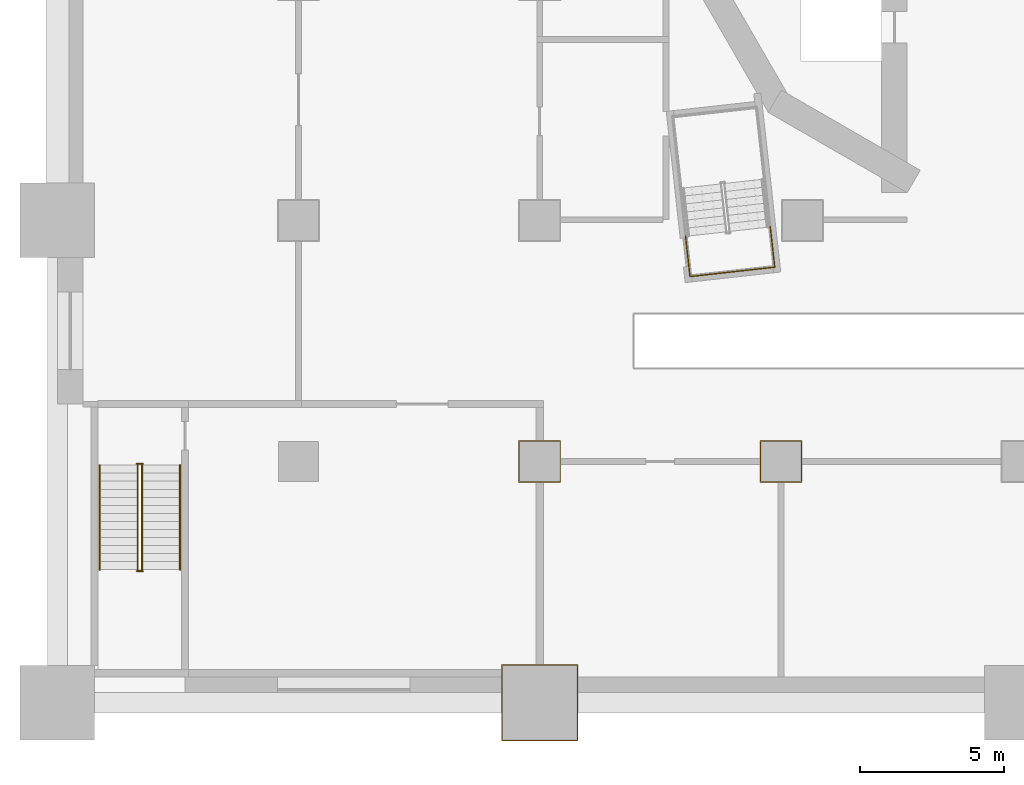
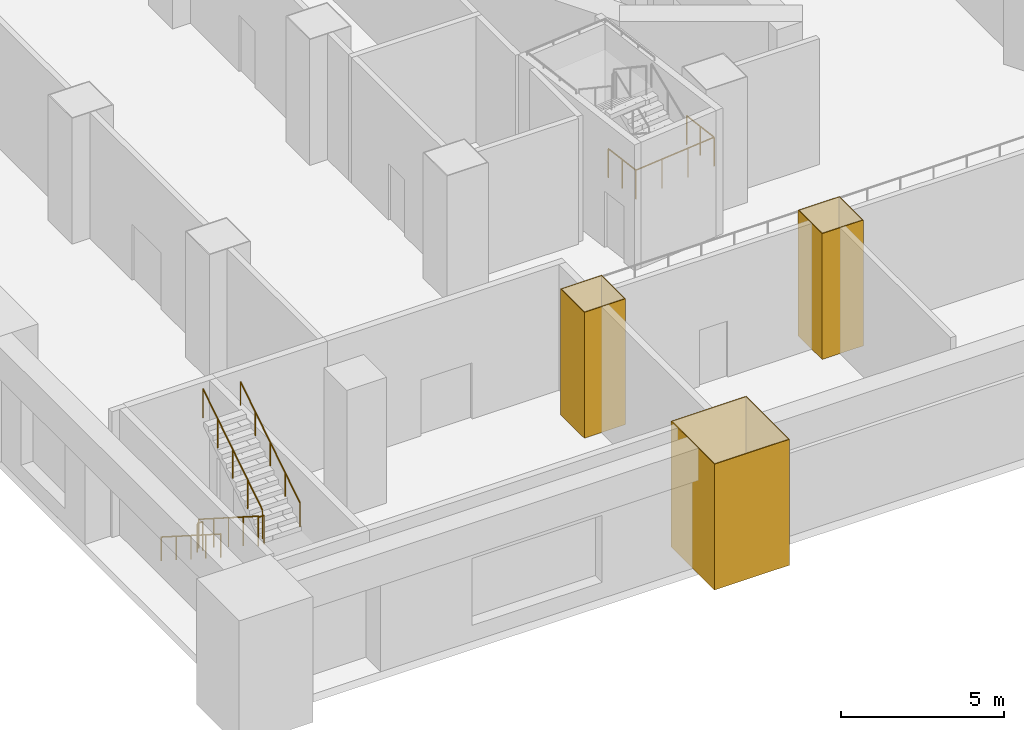
# One storey, part 9 of 19: 7 railings, 3 coverings.
"""IFC4 building model written with IfcOpenShell, lengths in metres."""

from ifc_helpers import new_model, si_unit, direction, frame, origin, origin_2d, place, context, subcontext, project, spatial, polyline, circle, outline, extrude, material, layer, layer_set, type_object, element, save


model = new_model("IFC4")

# Units and contexts
model_context = context("Model", 3, precision=1e-05, world=origin(), true_north=direction((0.0, 1.0)))
body_context = subcontext(model_context, "Body", "Model", "MODEL_VIEW")
ifc_project = project(units=[si_unit("LENGTHUNIT", "METRE"), si_unit("AREAUNIT", "SQUARE_METRE"), si_unit("VOLUMEUNIT", "CUBIC_METRE"), si_unit("PLANEANGLEUNIT", "RADIAN"), si_unit("MASSUNIT", "GRAM", prefix="KILO")], contexts=[model_context])

# Site, building, storey
site_placement = place(None, origin())
site = spatial("IfcSite", under=ifc_project, at=site_placement, CompositionType="ELEMENT")
building_placement = place(site_placement, origin())
building = spatial("IfcBuilding", under=site, at=building_placement, Name="Cantera Rosa Tower", CompositionType="ELEMENT")
storey_placement = place(building_placement, frame((0.0, 0.0, 12.0)))
storey = spatial("IfcBuildingStorey", under=building, at=storey_placement, Name="L01", CompositionType="ELEMENT", Elevation=12.0)

# Coverings
ifc_material_1 = material(Name="Plaster")
ifc_layer = layer(ifc_material_1, 0.030029296875)
ifc_layer_set = layer_set([ifc_layer], Name="Column casing 30")
covering_type = type_object("IfcCoveringType", Name="Column casing 30", PredefinedType="CLADDING", material=ifc_layer_set)
covering_1_placement = place(storey_placement, origin())
element("IfcCovering", 1, at=covering_1_placement, inside=storey, type_object=covering_type, Name="Column casing L01-005", PredefinedType="CLADDING", context=body_context, shape_type="SweptSolid", body=[
    extrude(outline(polyline([(-18.1298828125, -30.72998046875), (-15.469970703125, -30.72998046875), (-15.469970703125, -28.070068359375), (-18.1298828125, -28.070068359375), (-18.1298828125, -30.72998046875)]), holes=[polyline([(-15.5, -28.10009765625), (-18.10009765625, -28.10009765625), (-18.10009765625, -30.699951171875), (-15.5, -30.699951171875), (-15.5, -28.10009765625)])]), origin(), (0.0, 0.0, 1.0), 4.699951171875),
])
covering_2_placement = place(storey_placement, origin())
element("IfcCovering", 2, at=covering_2_placement, inside=storey, type_object=covering_type, Name="Column casing L01-006", PredefinedType="CLADDING", context=body_context, shape_type="SweptSolid", body=[
    extrude(outline(polyline([(-17.530029296875, -21.72998046875), (-16.070068359375, -21.72998046875), (-16.070068359375, -20.27001953125), (-17.530029296875, -20.27001953125), (-17.530029296875, -21.72998046875)]), holes=[polyline([(-16.10009765625, -20.300048828125), (-17.5, -20.300048828125), (-17.5, -21.699951171875), (-16.10009765625, -21.699951171875), (-16.10009765625, -20.300048828125)])]), origin(), (0.0, 0.0, 1.0), 4.699951171875),
])
covering_3_placement = place(storey_placement, origin())
element("IfcCovering", 3, at=covering_3_placement, inside=storey, type_object=covering_type, Name="Column casing L01-013", PredefinedType="CLADDING", context=body_context, shape_type="SweptSolid", body=[
    extrude(outline(polyline([(-9.1298828125, -21.72998046875), (-7.669921875, -21.72998046875), (-7.669921875, -20.27001953125), (-9.1298828125, -20.27001953125), (-9.1298828125, -21.72998046875)]), holes=[polyline([(-7.699951171875, -20.300048828125), (-9.10009765625, -20.300048828125), (-9.10009765625, -21.699951171875), (-7.699951171875, -21.699951171875), (-7.699951171875, -20.300048828125)])]), origin(), (0.0, 0.0, 1.0), 4.699951171875),
])

# Railings
ifc_material_2 = material(Name="Steel S355J2 (EN 10025-2)", Category="steel")
railing_type_1 = type_object("IfcRailingType", Name="STAIR GUARD 1100", PredefinedType="GUARDRAIL", material=ifc_material_2)
railing_1_placement = place(storey_placement, frame((-8.77099609375, -12.815673828125, 2.5)))
element("IfcRailing", 4, at=railing_1_placement, inside=storey, type_object=railing_type_1, Name="L01 ST-13 stair guard 8", PredefinedType="GUARDRAIL", context=body_context, shape_type="SweptSolid", body=[
    extrude(circle(Radius=0.02392578125, at=origin_2d()), frame((0.0, 0.0, 1.076171875), z_axis=(0.110393838913, -0.993887921413, 0.0), x_axis=(0.993887921413, 0.110393838913, 0.0)), (0.0, 0.0, 1.0), 1.422119140625),
    extrude(circle(Radius=0.02392578125, at=origin_2d()), frame((0.156982421875, -1.413330078125, 1.076171875), z_axis=(-0.993896759678, -0.110314237986, 0.0), x_axis=(0.110314237986, -0.993896759678, 0.0)), (0.0, 0.0, 1.0), 2.969970703125),
    extrude(circle(Radius=0.02392578125, at=origin_2d()), frame((-2.794921875, -1.740966796875, 1.076171875), z_axis=(-0.110393838913, 0.993887921413, 0.0), x_axis=(-0.993887921413, -0.110393838913, 0.0)), (0.0, 0.0, 1.0), 1.422119140625),
    extrude(circle(Radius=0.02099609375, at=origin_2d()), origin(), (0.0, 0.0, 1.0), 1.052001953125),
    extrude(circle(Radius=0.02099609375, at=origin_2d()), frame((0.07861328125, -0.70654296875, 0.0)), (0.0, 0.0, 1.0), 1.052001953125),
    extrude(circle(Radius=0.02099609375, at=origin_2d()), frame((0.156982421875, -1.413330078125, 0.0)), (0.0, 0.0, 1.0), 1.052001953125),
    extrude(circle(Radius=0.02099609375, at=origin_2d()), frame((-0.826904296875, -1.5224609375, 0.0)), (0.0, 0.0, 1.0), 1.052001953125),
    extrude(circle(Radius=0.02099609375, at=origin_2d()), frame((-1.81103515625, -1.6318359375, 0.0)), (0.0, 0.0, 1.0), 1.052001953125),
    extrude(circle(Radius=0.02099609375, at=origin_2d()), frame((-2.794921875, -1.740966796875, 0.0)), (0.0, 0.0, 1.0), 1.052001953125),
    extrude(circle(Radius=0.02099609375, at=origin_2d()), frame((-2.87353515625, -1.0341796875, 0.0)), (0.0, 0.0, 1.0), 1.052001953125),
    extrude(circle(Radius=0.02099609375, at=origin_2d()), frame((-2.951904296875, -0.32763671875, 0.0)), (0.0, 0.0, 1.0), 1.052001953125),
])
railing_2_placement = place(storey_placement, frame((-30.799072265625, -21.125, 0.178466796875)))
element("IfcRailing", 5, at=railing_2_placement, inside=storey, type_object=railing_type_1, Name="L01 ST-SW stair guard 1", PredefinedType="GUARDRAIL", context=body_context, shape_type="SweptSolid", body=[
    extrude(circle(Radius=0.02392578125, at=origin_2d()), frame((0.0, 0.0, 1.076171875), z_axis=(0.0, -0.843111507901, 0.53773877045), x_axis=(1.0, 0.0, 0.0)), (0.0, 0.0, 1.0), 4.317138671875),
    extrude(circle(Radius=0.02099609375, at=origin_2d()), origin(), (0.0, 0.0, 1.0), 1.052001953125),
    extrude(circle(Radius=0.02099609375, at=origin_2d()), frame((0.0, -0.909912109375, 0.580322265625)), (0.0, 0.0, 1.0), 1.052001953125),
    extrude(circle(Radius=0.02099609375, at=origin_2d()), frame((0.0, -1.81982421875, 1.16064453125)), (0.0, 0.0, 1.0), 1.052001953125),
    extrude(circle(Radius=0.02099609375, at=origin_2d()), frame((0.0, -2.72998046875, 1.7412109375)), (0.0, 0.0, 1.0), 1.052001953125),
    extrude(circle(Radius=0.02099609375, at=origin_2d()), frame((0.0, -3.639892578125, 2.321533203125)), (0.0, 0.0, 1.0), 1.052001953125),
])
railing_3_placement = place(storey_placement, frame((-30.824951171875, -24.81494140625, 2.5)))
element("IfcRailing", 6, at=railing_3_placement, inside=storey, type_object=railing_type_1, Name="L01 ST-SW stair guard 2", PredefinedType="GUARDRAIL", context=body_context, shape_type="SweptSolid", body=[
    extrude(circle(Radius=0.02392578125, at=origin_2d()), frame((0.0, 0.0, 1.076171875), z_axis=(1.0, 0.0, 0.0), x_axis=(0.0, 1.0, 0.0)), (0.0, 0.0, 1.0), 0.199951171875),
    extrude(circle(Radius=0.02099609375, at=origin_2d()), origin(), (0.0, 0.0, 1.0), 1.052001953125),
    extrude(circle(Radius=0.02099609375, at=origin_2d()), frame((0.199951171875, 0.0, 0.0)), (0.0, 0.0, 1.0), 1.052001953125),
])
railing_4_placement = place(storey_placement, frame((-30.65087890625, -24.764892578125, 2.678466796875)))
element("IfcRailing", 7, at=railing_4_placement, inside=storey, type_object=railing_type_1, Name="L01 ST-SW stair guard 3", PredefinedType="GUARDRAIL", context=body_context, shape_type="SweptSolid", body=[
    extrude(circle(Radius=0.02392578125, at=origin_2d()), frame((0.0, 0.0, 1.076171875), z_axis=(0.0, 0.843111507901, 0.53773877045), x_axis=(-1.0, 0.0, 0.0)), (0.0, 0.0, 1.0), 4.317138671875),
    extrude(circle(Radius=0.02099609375, at=origin_2d()), origin(), (0.0, 0.0, 1.0), 1.052001953125),
    extrude(circle(Radius=0.02099609375, at=origin_2d()), frame((0.0, 0.909912109375, 0.580322265625)), (0.0, 0.0, 1.0), 1.052001953125),
    extrude(circle(Radius=0.02099609375, at=origin_2d()), frame((0.0, 1.81982421875, 1.16064453125)), (0.0, 0.0, 1.0), 1.052001953125),
    extrude(circle(Radius=0.02099609375, at=origin_2d()), frame((0.0, 2.72998046875, 1.7412109375)), (0.0, 0.0, 1.0), 1.052001953125),
    extrude(circle(Radius=0.02099609375, at=origin_2d()), frame((0.0, 3.639892578125, 2.321533203125)), (0.0, 0.0, 1.0), 1.052001953125),
])
railing_5_placement = place(storey_placement, frame((-30.824951171875, -21.074951171875, 0.0)))
element("IfcRailing", 8, at=railing_5_placement, inside=storey, type_object=railing_type_1, Name="L01 ST-SW stair guard 4", PredefinedType="GUARDRAIL", context=body_context, shape_type="SweptSolid", body=[
    extrude(circle(Radius=0.02392578125, at=origin_2d()), frame((0.0, 0.0, 1.076171875), z_axis=(1.0, 0.0, 0.0), x_axis=(0.0, 1.0, 0.0)), (0.0, 0.0, 1.0), 0.199951171875),
    extrude(circle(Radius=0.02099609375, at=origin_2d()), origin(), (0.0, 0.0, 1.0), 1.052001953125),
    extrude(circle(Radius=0.02099609375, at=origin_2d()), frame((0.199951171875, 0.0, 0.0)), (0.0, 0.0, 1.0), 1.052001953125),
])
ifc_material_3 = material(Name="Steel S355J2 (EN 10025-2)", Category="steel")
railing_type_2 = type_object("IfcRailingType", Name="STAIR HANDRAIL 900", PredefinedType="HANDRAIL", material=ifc_material_3)
railing_6_placement = place(storey_placement, frame((-32.125, -21.125, 0.178466796875)))
element("IfcRailing", 9, at=railing_6_placement, inside=storey, type_object=railing_type_2, Name="L01 ST-SW stair handrail 1", PredefinedType="HANDRAIL", context=body_context, shape_type="SweptSolid", body=[
    extrude(circle(Radius=0.02392578125, at=origin_2d()), frame((0.0, 0.0, 0.8759765625), z_axis=(0.0, -0.843111507901, 0.53773877045), x_axis=(1.0, 0.0, 0.0)), (0.0, 0.0, 1.0), 4.317138671875),
    extrude(circle(Radius=0.02099609375, at=origin_2d()), origin(), (0.0, 0.0, 1.0), 0.851806640625),
    extrude(circle(Radius=0.02099609375, at=origin_2d()), frame((0.0, -0.909912109375, 0.580322265625)), (0.0, 0.0, 1.0), 0.851806640625),
    extrude(circle(Radius=0.02099609375, at=origin_2d()), frame((0.0, -1.81982421875, 1.16064453125)), (0.0, 0.0, 1.0), 0.851806640625),
    extrude(circle(Radius=0.02099609375, at=origin_2d()), frame((0.0, -2.72998046875, 1.7412109375)), (0.0, 0.0, 1.0), 0.851806640625),
    extrude(circle(Radius=0.02099609375, at=origin_2d()), frame((0.0, -3.639892578125, 2.321533203125)), (0.0, 0.0, 1.0), 0.851806640625),
])
railing_7_placement = place(storey_placement, frame((-29.324951171875, -24.764892578125, 2.678466796875)))
element("IfcRailing", 10, at=railing_7_placement, inside=storey, type_object=railing_type_2, Name="L01 ST-SW stair handrail 2", PredefinedType="HANDRAIL", context=body_context, shape_type="SweptSolid", body=[
    extrude(circle(Radius=0.02392578125, at=origin_2d()), frame((0.0, 0.0, 0.8759765625), z_axis=(0.0, 0.843111507901, 0.53773877045), x_axis=(-1.0, 0.0, 0.0)), (0.0, 0.0, 1.0), 4.317138671875),
    extrude(circle(Radius=0.02099609375, at=origin_2d()), origin(), (0.0, 0.0, 1.0), 0.851806640625),
    extrude(circle(Radius=0.02099609375, at=origin_2d()), frame((0.0, 0.909912109375, 0.580322265625)), (0.0, 0.0, 1.0), 0.851806640625),
    extrude(circle(Radius=0.02099609375, at=origin_2d()), frame((0.0, 1.81982421875, 1.16064453125)), (0.0, 0.0, 1.0), 0.851806640625),
    extrude(circle(Radius=0.02099609375, at=origin_2d()), frame((0.0, 2.72998046875, 1.7412109375)), (0.0, 0.0, 1.0), 0.851806640625),
    extrude(circle(Radius=0.02099609375, at=origin_2d()), frame((0.0, 3.639892578125, 2.321533203125)), (0.0, 0.0, 1.0), 0.851806640625),
])

save(model, "model.ifc")
